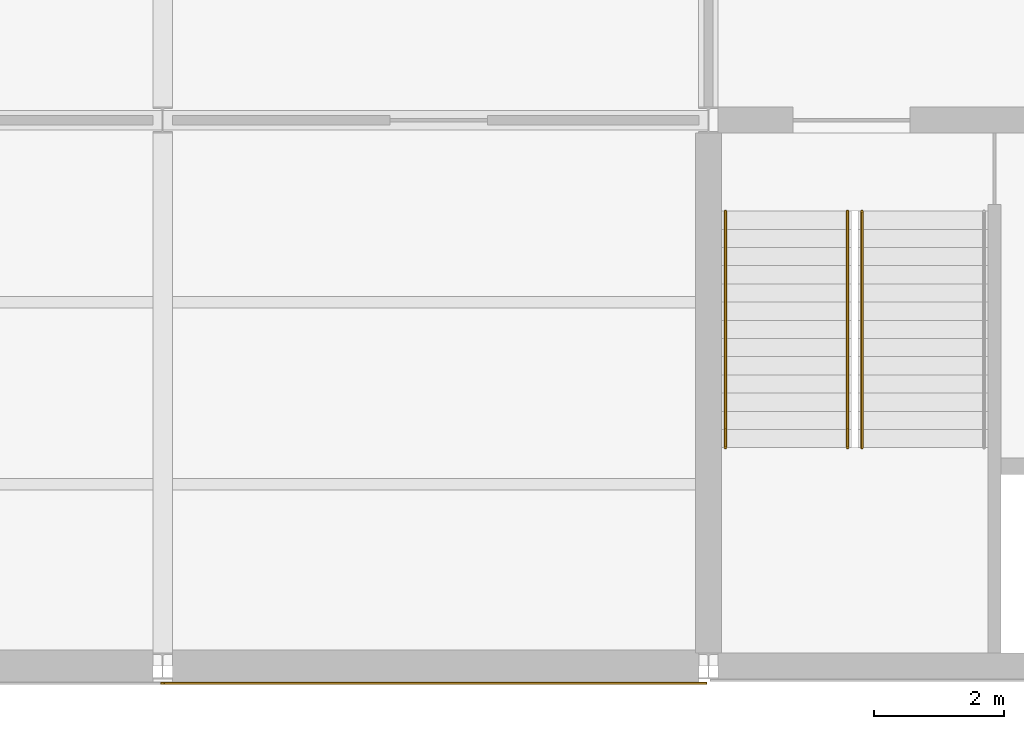
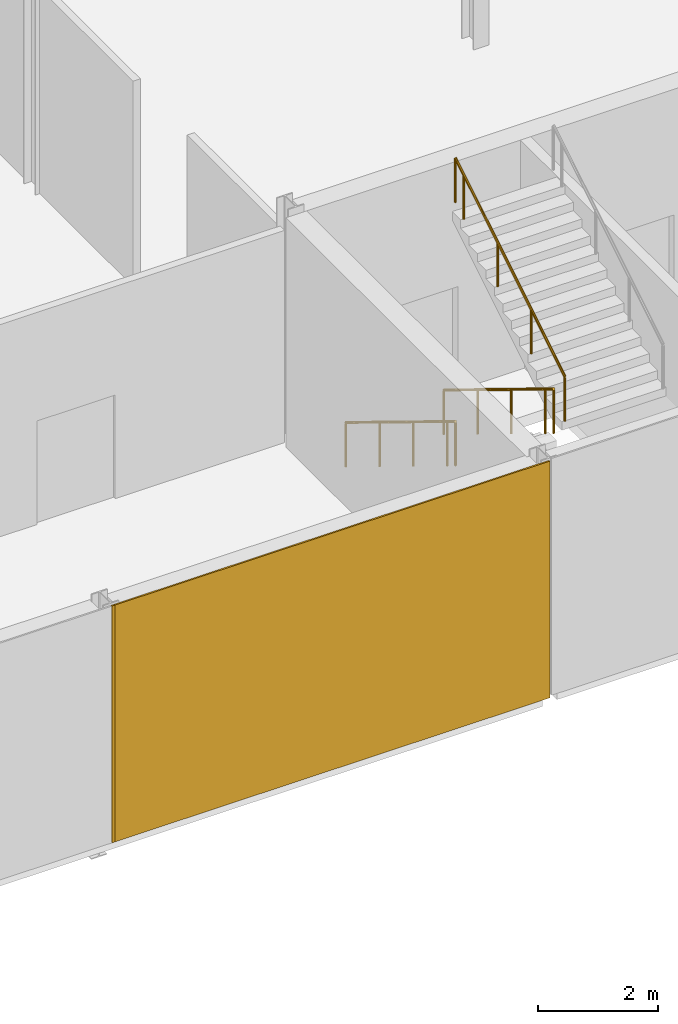
# One storey, part 45 of 57: 3 railings, 2 coverings.
"""IFC4 building model written with IfcOpenShell, lengths in metres."""

from ifc_helpers import new_model, si_unit, direction, frame, origin, origin_2d, place, context, subcontext, project, spatial, rectangle, circle, extrude, material, layer, layer_set, type_object, element, save


model = new_model("IFC4")

# Units and contexts
model_context = context("Model", 3, precision=1e-05, world=origin(), true_north=direction((0.0, 1.0)))
body_context = subcontext(model_context, "Body", "Model", "MODEL_VIEW")
ifc_project = project(units=[si_unit("LENGTHUNIT", "METRE"), si_unit("AREAUNIT", "SQUARE_METRE"), si_unit("VOLUMEUNIT", "CUBIC_METRE"), si_unit("PLANEANGLEUNIT", "RADIAN"), si_unit("MASSUNIT", "GRAM", prefix="KILO")], contexts=[model_context])

# Site, building, storey
site_placement = place(None, origin())
site = spatial("IfcSite", under=ifc_project, at=site_placement, CompositionType="ELEMENT")
building_placement = place(site_placement, origin())
building = spatial("IfcBuilding", under=site, at=building_placement, Name="Galleria Vessillo Department Store", CompositionType="ELEMENT")
storey_placement = place(building_placement, frame((0.0, 0.0, 21.0)))
storey = spatial("IfcBuildingStorey", under=building, at=storey_placement, Name="L04", CompositionType="ELEMENT", Elevation=21.0)

# Coverings
ifc_material_1 = material(Name="Lime plaster (intonaco) ochre")
ifc_layer = layer(ifc_material_1, 0.030029296875)
ifc_layer_set = layer_set([ifc_layer], Name="Lime plaster (intonaco) ochre")
covering_type = type_object("IfcCoveringType", Name="Lime plaster render 30 mm", PredefinedType="CLADDING", material=ifc_layer_set)
covering_1_placement = place(storey_placement, frame((71.39990234375, -0.264892578125, 0.0), z_axis=(0.0, 0.0, 1.0), x_axis=(1.0, 0.0, 0.0)))
element("IfcCovering", 1, at=covering_1_placement, inside=storey, type_object=covering_type, Name="Wall cladding S-PS-L04-06", PredefinedType="CLADDING", context=body_context, shape_type="SweptSolid", body=[
    extrude(rectangle(XDim=8.34033203125, YDim=0.030029296875, at=origin_2d()), origin(), (0.0, 0.0, 1.0), 4.800048828125),
])
covering_2_placement = place(storey_placement, frame((67.199951171875, -0.264892578125, 0.0), z_axis=(0.0, 0.0, 1.0), x_axis=(1.0, 0.0, 0.0)))
element("IfcCovering", 2, at=covering_2_placement, inside=storey, type_object=covering_type, Name="Joint block Wall cladding S-PS-L04-05", PredefinedType="CLADDING", context=body_context, shape_type="SweptSolid", body=[
    extrude(rectangle(XDim=0.059814453125, YDim=0.030029296875, at=origin_2d()), origin(), (0.0, 0.0, 1.0), 4.800048828125),
])

# Railings
ifc_material_2 = material(Name="Stainless steel tube", Category="steel")
railing_type = type_object("IfcRailingType", Name="Stair handrail steel tube 48 mm", PredefinedType="HANDRAIL", material=ifc_material_2)
for number, where, name in (
    (3, (77.739990234375, 7.0, 0.17138671875), "Handrail ST5 L04 flight 1A"),
    (4, (75.860107421875, 7.0, 0.17138671875), "Handrail ST5 L04 flight 1B"),
):
    element("IfcRailing", number, at=place(storey_placement, frame(where)), inside=storey, type_object=railing_type, Name=name, PredefinedType="HANDRAIL", context=body_context, shape_type="SweptSolid", body=[
        extrude(circle(Radius=0.02392578125, at=origin_2d()), frame((0.0, 0.0, 0.89599609375), z_axis=(0.0, -0.852849614702, 0.52215661894), x_axis=(1.0, 0.0, 0.0)), (0.0, 0.0, 1.0), 1.3134765625),
        extrude(circle(Radius=0.02392578125, at=origin_2d()), frame((0.0, -1.1201171875, 1.58154296875), z_axis=(0.0, -0.852798921012, 0.522239409008), x_axis=(1.0, 0.0, 0.0)), (0.0, 0.0, 1.0), 1.313232421875),
        extrude(circle(Radius=0.02392578125, at=origin_2d()), frame((0.0, -2.239990234375, 2.267578125), z_axis=(0.0, -0.852932391421, 0.522021393877), x_axis=(1.0, 0.0, 0.0)), (0.0, 0.0, 1.0), 1.313232421875),
        extrude(circle(Radius=0.02392578125, at=origin_2d()), frame((0.0, -3.360107421875, 2.953125), z_axis=(0.0, -0.852729557261, 0.522352660731), x_axis=(1.0, 0.0, 0.0)), (0.0, 0.0, 1.0), 0.328125),
        extrude(circle(Radius=0.02099609375, at=origin_2d()), origin(), (0.0, 0.0, 1.0), 0.871826171875),
        extrude(circle(Radius=0.02099609375, at=origin_2d()), frame((0.0, -1.1201171875, 0.685791015625)), (0.0, 0.0, 1.0), 0.871826171875),
        extrude(circle(Radius=0.02099609375, at=origin_2d()), frame((0.0, -2.239990234375, 1.37158203125)), (0.0, 0.0, 1.0), 0.871826171875),
        extrude(circle(Radius=0.02099609375, at=origin_2d()), frame((0.0, -3.360107421875, 2.05712890625)), (0.0, 0.0, 1.0), 0.871826171875),
        extrude(circle(Radius=0.02099609375, at=origin_2d()), frame((0.0, -3.639892578125, 2.228515625)), (0.0, 0.0, 1.0), 0.871826171875),
    ])
railing_placement = place(storey_placement, frame((77.9599609375, 3.360107421875, 2.5712890625)))
element("IfcRailing", 5, at=railing_placement, inside=storey, type_object=railing_type, Name="Handrail ST5 L04 flight 2A", PredefinedType="HANDRAIL", context=body_context, shape_type="SweptSolid", body=[
    extrude(circle(Radius=0.02392578125, at=origin_2d()), frame((0.0, 0.0, 0.89599609375), z_axis=(0.0, 0.852849614702, 0.52215661894), x_axis=(-1.0, 0.0, 0.0)), (0.0, 0.0, 1.0), 1.3134765625),
    extrude(circle(Radius=0.02392578125, at=origin_2d()), frame((0.0, 1.1201171875, 1.58154296875), z_axis=(0.0, 0.852798921012, 0.522239409008), x_axis=(-1.0, 0.0, 0.0)), (0.0, 0.0, 1.0), 1.313232421875),
    extrude(circle(Radius=0.02392578125, at=origin_2d()), frame((0.0, 2.239990234375, 2.267578125), z_axis=(0.0, 0.852932391421, 0.522021393877), x_axis=(-1.0, 0.0, 0.0)), (0.0, 0.0, 1.0), 1.313232421875),
    extrude(circle(Radius=0.02392578125, at=origin_2d()), frame((0.0, 3.360107421875, 2.953125), z_axis=(0.0, 0.852729557261, 0.522352660731), x_axis=(-1.0, 0.0, 0.0)), (0.0, 0.0, 1.0), 0.328125),
    extrude(circle(Radius=0.02099609375, at=origin_2d()), origin(), (0.0, 0.0, 1.0), 0.871826171875),
    extrude(circle(Radius=0.02099609375, at=origin_2d()), frame((0.0, 1.1201171875, 0.685791015625)), (0.0, 0.0, 1.0), 0.871826171875),
    extrude(circle(Radius=0.02099609375, at=origin_2d()), frame((0.0, 2.239990234375, 1.37158203125)), (0.0, 0.0, 1.0), 0.871826171875),
    extrude(circle(Radius=0.02099609375, at=origin_2d()), frame((0.0, 3.360107421875, 2.05712890625)), (0.0, 0.0, 1.0), 0.871826171875),
    extrude(circle(Radius=0.02099609375, at=origin_2d()), frame((0.0, 3.639892578125, 2.228515625)), (0.0, 0.0, 1.0), 0.871826171875),
])

save(model, "model.ifc")
